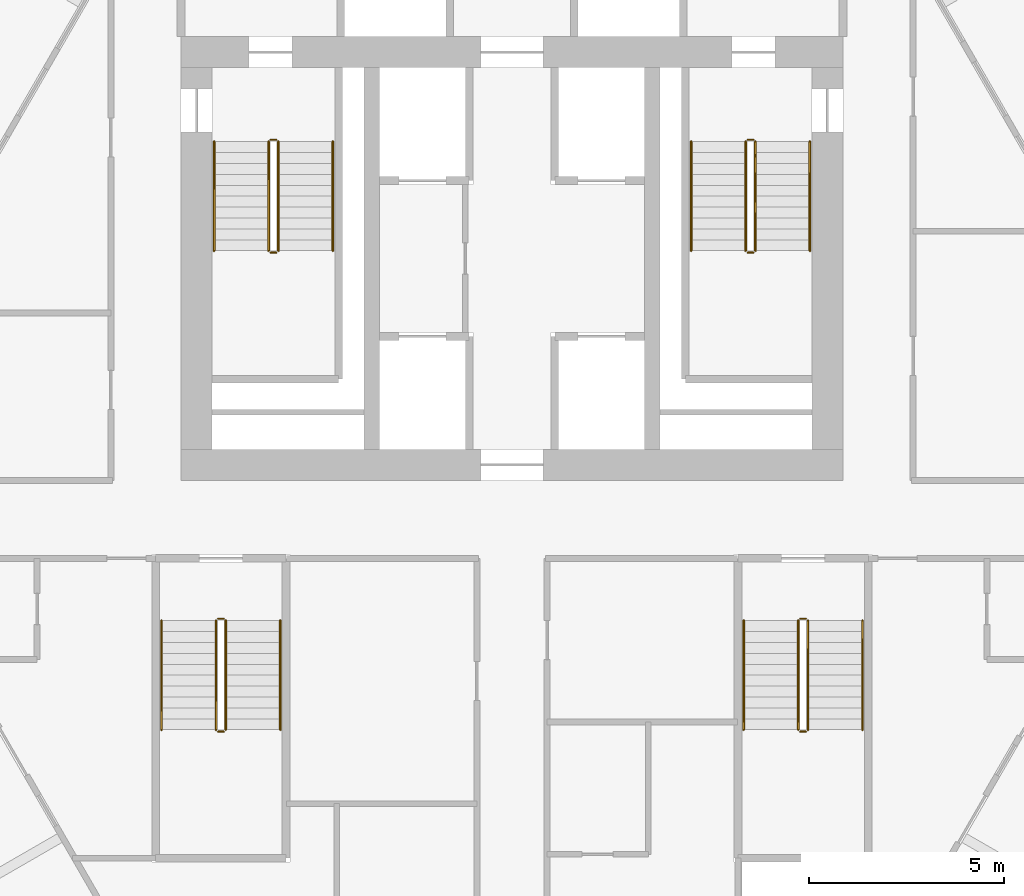
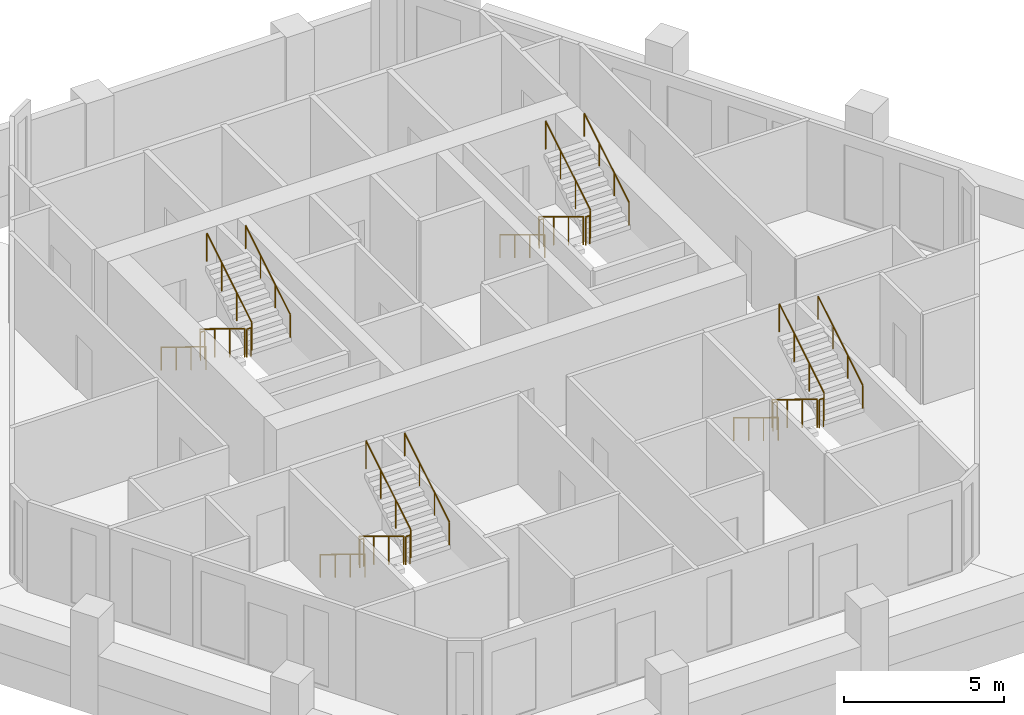
# One storey, part 7 of 7: 24 railings.
"""IFC4 building model written with IfcOpenShell, lengths in metres."""

import ifcopenshell
import ifcopenshell.guid

model = None  # the IFC model being written
_history = None  # IfcOwnerHistory: only IFC2X3 demands one
_inside = {}  # id of a spatial element -> (the spatial element, [elements in it])
_under = {}  # id of a project, library or spatial element -> (it, [spatial elements below it])
_declared = {}  # id of a project -> (the project, [libraries it declares])
_typed = {}  # id of a type object -> (the type object, [elements of that type])
_made_of = {}  # id of a material, layer set ... -> (it, [elements and type objects made of it])


def new_model(schema):
    """Start an empty IFC model of exactly this schema.

    Asked for "IFC4X3", IfcOpenShell would pick the latest addendum, in which some entities
    have other attributes; the version numbers below select the first issue.
    IFC2X3 requires an IfcOwnerHistory on every rooted entity: one is made here for all.
    """
    global model, _history
    if schema == "IFC4X3":
        model = ifcopenshell.file(schema_version=(4, 3, 0, 0))
    else:
        model = ifcopenshell.file(schema=schema)
    _inside.clear()
    _under.clear()
    _declared.clear()
    _typed.clear()
    _made_of.clear()
    _history = None
    if model.schema == "IFC2X3":
        org = make("IfcOrganization", Name="unknown")
        user = make(
            "IfcPersonAndOrganization",
            ThePerson=make("IfcPerson", FamilyName="unknown"),
            TheOrganization=org,
        )
        app = make(
            "IfcApplication",
            ApplicationDeveloper=org,
            Version="unknown",
            ApplicationFullName="unknown",
            ApplicationIdentifier="unknown",
        )
        _history = make(
            "IfcOwnerHistory",
            OwningUser=user,
            OwningApplication=app,
            ChangeAction="ADDED",
            CreationDate=0,
        )
    return model


def make(cls, **values):
    """One entity of the class cls with the attributes given. An attribute that is None is left unset."""
    return model.create_entity(
        cls, **{name: value for name, value in values.items() if value is not None}
    )


def rooted(cls, **values):
    """An entity with a GlobalId (a new one), such as an element, a storey or a relation."""
    return make(cls, GlobalId=ifcopenshell.guid.new(), OwnerHistory=_history, **values)


def si_unit(unit_type, name, prefix=None):
    """IfcSIUnit, for example si_unit("LENGTHUNIT", "METRE", prefix="MILLI")."""
    return make("IfcSIUnit", UnitType=unit_type, Prefix=prefix, Name=name)


def assignment(units):
    """IfcUnitAssignment: the units of a project."""
    return None if units is None else make("IfcUnitAssignment", Units=units)


def point(xyz):
    """IfcCartesianPoint."""
    return None if xyz is None else make("IfcCartesianPoint", Coordinates=xyz)


def direction(xyz):
    """IfcDirection."""
    return None if xyz is None else make("IfcDirection", DirectionRatios=xyz)


def frame(location, z_axis=None, x_axis=None):
    """IfcAxis2Placement3D, a coordinate frame: its origin and axes. An axis left out is left unset."""
    return make(
        "IfcAxis2Placement3D",
        Location=point(location),
        Axis=direction(z_axis),
        RefDirection=direction(x_axis),
    )


def frame_2d(location, x_axis=None):
    """IfcAxis2Placement2D, a coordinate frame in the plane: its origin and x axis."""
    return make(
        "IfcAxis2Placement2D", Location=point(location), RefDirection=direction(x_axis)
    )


def origin():
    """The frame at (0, 0, 0) with its axes left unset."""
    return frame((0.0, 0.0, 0.0))


def origin_2d():
    """The frame at (0, 0) in the plane with its x axis left unset."""
    return frame_2d((0.0, 0.0))


def place(relative_to, where):
    """IfcLocalPlacement: puts the frame where relative to a parent placement (None: the world)."""
    return make(
        "IfcLocalPlacement", PlacementRelTo=relative_to, RelativePlacement=where
    )


def context(
    kind, dimensions, precision=None, world=None, true_north=None, identifier=None
):
    """IfcGeometricRepresentationContext, for example the 3D "Model" context."""
    return make(
        "IfcGeometricRepresentationContext",
        ContextIdentifier=identifier,
        ContextType=kind,
        CoordinateSpaceDimension=dimensions,
        Precision=precision,
        WorldCoordinateSystem=world,
        TrueNorth=true_north,
    )


def subcontext(parent, identifier, kind, view, scale=None):
    """IfcGeometricRepresentationSubContext, for example "Body" below "Model"."""
    return make(
        "IfcGeometricRepresentationSubContext",
        ContextIdentifier=identifier,
        ContextType=kind,
        ParentContext=parent,
        TargetScale=scale,
        TargetView=view,
    )


def project(units=None, contexts=None):
    """IfcProject with its units and contexts."""
    return rooted(
        "IfcProject",
        Name="project",
        RepresentationContexts=contexts,
        UnitsInContext=assignment(units),
    )


def spatial(cls, under=None, at=None, **own):
    """A site, building, storey or space (cls), placed at a placement, below another one or the project."""
    s = rooted(cls, ObjectPlacement=at, **own)
    if under is not None:
        _under.setdefault(under.id(), (under, []))[1].append(s)
    return s


def profile(cls, at=None, kind="AREA", **sizes):
    """A parametric profile (cls). Its sizes go by their IFC names, for example OverallWidth=200.0."""
    return make(cls, ProfileType=kind, Position=at, **sizes)


def circle(**sizes):
    """IfcCircleProfileDef."""
    return profile("IfcCircleProfileDef", **sizes)


def extrude(swept, where, along, depth):
    """IfcExtrudedAreaSolid: the profile swept, set in the frame where, extruded along a direction by depth."""
    return make(
        "IfcExtrudedAreaSolid",
        SweptArea=swept,
        Position=where,
        ExtrudedDirection=direction(along),
        Depth=depth,
    )


def shape(context_of_items, identifier, shape_type, items):
    """IfcShapeRepresentation: the items that make up one representation, for example the "Body"."""
    return make(
        "IfcShapeRepresentation",
        ContextOfItems=context_of_items,
        RepresentationIdentifier=identifier,
        RepresentationType=shape_type,
        Items=items,
    )


def material(Name=None, Category=None):
    """IfcMaterial."""
    return make("IfcMaterial", Name=Name, Category=Category)


def made_of(thing, what):
    """Note that an element or type object is made of a material, layer set ...; save() writes the relation."""
    if what is not None:
        _made_of.setdefault(what.id(), (what, []))[1].append(thing)
    return thing


def type_object(cls, material=None, **own):
    """A type object (cls), such as IfcWallType, which elements share."""
    return made_of(rooted(cls, **own), material)


def element(
    cls,
    number,
    at=None,
    inside=None,
    cuts=None,
    type_object=None,
    material=None,
    context=None,
    identifier="Body",
    shape_type=None,
    held_by="IfcProductDefinitionShape",
    body=None,
    shapes=None,
    **own,
):
    """One element of the class cls, such as IfcWall. Its Tag is "e" and its number.

    at: its placement. inside: the storey or other place that contains it. cuts: it is an
    opening in that element (IfcRelVoidsElement). A single representation is given by context,
    identifier, shape_type and body (its items); several are given by shapes. held_by: the class
    of the entity that holds the representations. save() writes the other relations.
    """
    e = rooted(cls, Tag="e%d" % number, ObjectPlacement=at, **own)
    if body is not None:
        shapes = [shape(context, identifier, shape_type, body)]
    if shapes is not None:
        e.Representation = make(held_by, Representations=shapes)
    if inside is not None:
        _inside.setdefault(inside.id(), (inside, []))[1].append(e)
    if cuts is not None:
        rooted(
            "IfcRelVoidsElement", RelatingBuildingElement=cuts, RelatedOpeningElement=e
        )
    if type_object is not None:
        _typed.setdefault(type_object.id(), (type_object, []))[1].append(e)
    return made_of(e, material)


def aggregate(whole, parts):
    """IfcRelAggregates: a whole, such as a stair, and the parts it consists of."""
    return rooted("IfcRelAggregates", RelatingObject=whole, RelatedObjects=parts)


def save(model, path):
    """Write the relations noted so far, then the file.

    IfcRelAggregates (storeys below a building ...), IfcRelContainedInSpatialStructure (elements
    in a storey), IfcRelDefinesByType, IfcRelAssociatesMaterial and IfcRelDeclares: one each for
    every whole, place, type object, material and project.
    """
    for whole, parts in _under.values():
        aggregate(whole, parts)
    for where, things in _inside.values():
        rooted(
            "IfcRelContainedInSpatialStructure",
            RelatedElements=things,
            RelatingStructure=where,
        )
    for kind, things in _typed.values():
        rooted("IfcRelDefinesByType", RelatedObjects=things, RelatingType=kind)
    for what, things in _made_of.values():
        rooted("IfcRelAssociatesMaterial", RelatedObjects=things, RelatingMaterial=what)
    for by, libraries in _declared.values():
        rooted("IfcRelDeclares", RelatingContext=by, RelatedDefinitions=libraries)
    model.write(path)


model = new_model("IFC4")

# Units and contexts
model_context = context("Model", 3, precision=1e-05, world=origin(), true_north=direction((0.0, 1.0)))
body_context = subcontext(model_context, "Body", "Model", "MODEL_VIEW")
ifc_project = project(units=[si_unit("LENGTHUNIT", "METRE"), si_unit("AREAUNIT", "SQUARE_METRE"), si_unit("VOLUMEUNIT", "CUBIC_METRE"), si_unit("PLANEANGLEUNIT", "RADIAN"), si_unit("MASSUNIT", "GRAM", prefix="KILO")], contexts=[model_context])

# Site, building, storey
site_placement = place(None, origin())
site = spatial("IfcSite", under=ifc_project, at=site_placement, CompositionType="ELEMENT")
building_placement = place(site_placement, origin())
building = spatial("IfcBuilding", under=site, at=building_placement, Name="Ostrander Bayou Hotel Tower", CompositionType="ELEMENT")
storey_placement = place(building_placement, frame((0.0, 0.0, 183.25)))
storey = spatial("IfcBuildingStorey", under=building, at=storey_placement, Name="L45", CompositionType="ELEMENT", Elevation=183.25)

# Railings
ifc_material_1 = material(Name="Steel ASTM A500 Gr C", Category="steel")
railing_type_1 = type_object("IfcRailingType", Name="GR1 stair guard 1100 mm steel", PredefinedType="GUARDRAIL", material=ifc_material_1)
railing_1_placement = place(storey_placement, frame((-6.25, 7.0, 0.17041015625)))
element("IfcRailing", 1, at=railing_1_placement, inside=storey, type_object=railing_type_1, Name="L45 STA stair guard 1", PredefinedType="GUARDRAIL", context=body_context, shape_type="SweptSolid", body=[
    extrude(circle(Radius=0.02392578125, at=origin_2d()), frame((0.0, 0.0, 1.076171875), z_axis=(0.0, -0.854169791009, 0.51999420009), x_axis=(1.0, 0.0, 0.0)), (0.0, 0.0, 1.0), 3.278076171875),
    extrude(circle(Radius=0.02099609375, at=origin_2d()), origin(), (0.0, 0.0, 1.0), 1.052001953125),
    extrude(circle(Radius=0.02099609375, at=origin_2d()), frame((0.0, -0.933349609375, 0.568115234375)), (0.0, 0.0, 1.0), 1.052001953125),
    extrude(circle(Radius=0.02099609375, at=origin_2d()), frame((0.0, -1.86669921875, 1.136474609375)), (0.0, 0.0, 1.0), 1.052001953125),
    extrude(circle(Radius=0.02099609375, at=origin_2d()), frame((0.0, -2.800048828125, 1.70458984375)), (0.0, 0.0, 1.0), 1.052001953125),
])
railing_2_placement = place(storey_placement, frame((-6.199951171875, 4.14990234375, 1.875)))
element("IfcRailing", 2, at=railing_2_placement, inside=storey, type_object=railing_type_1, Name="L45 STA stair guard 2", PredefinedType="GUARDRAIL", context=body_context, shape_type="SweptSolid", body=[
    extrude(circle(Radius=0.02392578125, at=origin_2d()), frame((0.0, 0.0, 1.076171875), z_axis=(1.0, 0.0, 0.0), x_axis=(0.0, 1.0, 0.0)), (0.0, 0.0, 1.0), 0.14990234375),
    extrude(circle(Radius=0.02099609375, at=origin_2d()), origin(), (0.0, 0.0, 1.0), 1.052001953125),
    extrude(circle(Radius=0.02099609375, at=origin_2d()), frame((0.14990234375, 0.0, 0.0)), (0.0, 0.0, 1.0), 1.052001953125),
])
railing_3_placement = place(storey_placement, frame((-6.0, 4.199951171875, 2.04541015625)))
element("IfcRailing", 3, at=railing_3_placement, inside=storey, type_object=railing_type_1, Name="L45 STA stair guard 3", PredefinedType="GUARDRAIL", context=body_context, shape_type="SweptSolid", body=[
    extrude(circle(Radius=0.02392578125, at=origin_2d()), frame((0.0, 0.0, 1.076171875), z_axis=(0.0, 0.854169791009, 0.51999420009), x_axis=(-1.0, 0.0, 0.0)), (0.0, 0.0, 1.0), 3.278076171875),
    extrude(circle(Radius=0.02099609375, at=origin_2d()), origin(), (0.0, 0.0, 1.0), 1.052001953125),
    extrude(circle(Radius=0.02099609375, at=origin_2d()), frame((0.0, 0.933349609375, 0.568115234375)), (0.0, 0.0, 1.0), 1.052001953125),
    extrude(circle(Radius=0.02099609375, at=origin_2d()), frame((0.0, 1.86669921875, 1.136474609375)), (0.0, 0.0, 1.0), 1.052001953125),
    extrude(circle(Radius=0.02099609375, at=origin_2d()), frame((0.0, 2.800048828125, 1.70458984375)), (0.0, 0.0, 1.0), 1.052001953125),
])
railing_4_placement = place(storey_placement, frame((-6.199951171875, 7.050048828125, 0.0)))
element("IfcRailing", 4, at=railing_4_placement, inside=storey, type_object=railing_type_1, Name="L45 STA stair guard 4", PredefinedType="GUARDRAIL", context=body_context, shape_type="SweptSolid", body=[
    extrude(circle(Radius=0.02392578125, at=origin_2d()), frame((0.0, 0.0, 1.076171875), z_axis=(1.0, 0.0, 0.0), x_axis=(0.0, 1.0, 0.0)), (0.0, 0.0, 1.0), 0.14990234375),
    extrude(circle(Radius=0.02099609375, at=origin_2d()), origin(), (0.0, 0.0, 1.0), 1.052001953125),
    extrude(circle(Radius=0.02099609375, at=origin_2d()), frame((0.14990234375, 0.0, 0.0)), (0.0, 0.0, 1.0), 1.052001953125),
])
railing_5_placement = place(storey_placement, frame((6.0, 7.0, 0.17041015625)))
element("IfcRailing", 5, at=railing_5_placement, inside=storey, type_object=railing_type_1, Name="L45 STB stair guard 1", PredefinedType="GUARDRAIL", context=body_context, shape_type="SweptSolid", body=[
    extrude(circle(Radius=0.02392578125, at=origin_2d()), frame((0.0, 0.0, 1.076171875), z_axis=(0.0, -0.854169791009, 0.51999420009), x_axis=(1.0, 0.0, 0.0)), (0.0, 0.0, 1.0), 3.278076171875),
    extrude(circle(Radius=0.02099609375, at=origin_2d()), origin(), (0.0, 0.0, 1.0), 1.052001953125),
    extrude(circle(Radius=0.02099609375, at=origin_2d()), frame((0.0, -0.933349609375, 0.568115234375)), (0.0, 0.0, 1.0), 1.052001953125),
    extrude(circle(Radius=0.02099609375, at=origin_2d()), frame((0.0, -1.86669921875, 1.136474609375)), (0.0, 0.0, 1.0), 1.052001953125),
    extrude(circle(Radius=0.02099609375, at=origin_2d()), frame((0.0, -2.800048828125, 1.70458984375)), (0.0, 0.0, 1.0), 1.052001953125),
])
railing_6_placement = place(storey_placement, frame((6.050048828125, 4.14990234375, 1.875)))
element("IfcRailing", 6, at=railing_6_placement, inside=storey, type_object=railing_type_1, Name="L45 STB stair guard 2", PredefinedType="GUARDRAIL", context=body_context, shape_type="SweptSolid", body=[
    extrude(circle(Radius=0.02392578125, at=origin_2d()), frame((0.0, 0.0, 1.076171875), z_axis=(1.0, 0.0, 0.0), x_axis=(0.0, 1.0, 0.0)), (0.0, 0.0, 1.0), 0.14990234375),
    extrude(circle(Radius=0.02099609375, at=origin_2d()), origin(), (0.0, 0.0, 1.0), 1.052001953125),
    extrude(circle(Radius=0.02099609375, at=origin_2d()), frame((0.14990234375, 0.0, 0.0)), (0.0, 0.0, 1.0), 1.052001953125),
])
railing_7_placement = place(storey_placement, frame((6.25, 4.199951171875, 2.04541015625)))
element("IfcRailing", 7, at=railing_7_placement, inside=storey, type_object=railing_type_1, Name="L45 STB stair guard 3", PredefinedType="GUARDRAIL", context=body_context, shape_type="SweptSolid", body=[
    extrude(circle(Radius=0.02392578125, at=origin_2d()), frame((0.0, 0.0, 1.076171875), z_axis=(0.0, 0.854169791009, 0.51999420009), x_axis=(-1.0, 0.0, 0.0)), (0.0, 0.0, 1.0), 3.278076171875),
    extrude(circle(Radius=0.02099609375, at=origin_2d()), origin(), (0.0, 0.0, 1.0), 1.052001953125),
    extrude(circle(Radius=0.02099609375, at=origin_2d()), frame((0.0, 0.933349609375, 0.568115234375)), (0.0, 0.0, 1.0), 1.052001953125),
    extrude(circle(Radius=0.02099609375, at=origin_2d()), frame((0.0, 1.86669921875, 1.136474609375)), (0.0, 0.0, 1.0), 1.052001953125),
    extrude(circle(Radius=0.02099609375, at=origin_2d()), frame((0.0, 2.800048828125, 1.70458984375)), (0.0, 0.0, 1.0), 1.052001953125),
])
railing_8_placement = place(storey_placement, frame((6.050048828125, 7.050048828125, 0.0)))
element("IfcRailing", 8, at=railing_8_placement, inside=storey, type_object=railing_type_1, Name="L45 STB stair guard 4", PredefinedType="GUARDRAIL", context=body_context, shape_type="SweptSolid", body=[
    extrude(circle(Radius=0.02392578125, at=origin_2d()), frame((0.0, 0.0, 1.076171875), z_axis=(1.0, 0.0, 0.0), x_axis=(0.0, 1.0, 0.0)), (0.0, 0.0, 1.0), 0.14990234375),
    extrude(circle(Radius=0.02099609375, at=origin_2d()), origin(), (0.0, 0.0, 1.0), 1.052001953125),
    extrude(circle(Radius=0.02099609375, at=origin_2d()), frame((0.14990234375, 0.0, 0.0)), (0.0, 0.0, 1.0), 1.052001953125),
])
railing_9_placement = place(storey_placement, frame((7.35009765625, -5.300048828125, 0.17041015625)))
element("IfcRailing", 9, at=railing_9_placement, inside=storey, type_object=railing_type_1, Name="L45 STC stair guard 1", PredefinedType="GUARDRAIL", context=body_context, shape_type="SweptSolid", body=[
    extrude(circle(Radius=0.02392578125, at=origin_2d()), frame((0.0, 0.0, 1.076171875), z_axis=(0.0, -0.854169791009, 0.51999420009), x_axis=(1.0, 0.0, 0.0)), (0.0, 0.0, 1.0), 3.278076171875),
    extrude(circle(Radius=0.02099609375, at=origin_2d()), origin(), (0.0, 0.0, 1.0), 1.052001953125),
    extrude(circle(Radius=0.02099609375, at=origin_2d()), frame((0.0, -0.933349609375, 0.568115234375)), (0.0, 0.0, 1.0), 1.052001953125),
    extrude(circle(Radius=0.02099609375, at=origin_2d()), frame((0.0, -1.86669921875, 1.136474609375)), (0.0, 0.0, 1.0), 1.052001953125),
    extrude(circle(Radius=0.02099609375, at=origin_2d()), frame((0.0, -2.800048828125, 1.70458984375)), (0.0, 0.0, 1.0), 1.052001953125),
])
railing_10_placement = place(storey_placement, frame((7.39990234375, -8.14990234375, 1.875)))
element("IfcRailing", 10, at=railing_10_placement, inside=storey, type_object=railing_type_1, Name="L45 STC stair guard 2", PredefinedType="GUARDRAIL", context=body_context, shape_type="SweptSolid", body=[
    extrude(circle(Radius=0.02392578125, at=origin_2d()), frame((0.0, 0.0, 1.076171875), z_axis=(1.0, 0.0, 0.0), x_axis=(0.0, 1.0, 0.0)), (0.0, 0.0, 1.0), 0.150146484375),
    extrude(circle(Radius=0.02099609375, at=origin_2d()), origin(), (0.0, 0.0, 1.0), 1.052001953125),
    extrude(circle(Radius=0.02099609375, at=origin_2d()), frame((0.150146484375, 0.0, 0.0)), (0.0, 0.0, 1.0), 1.052001953125),
])
railing_11_placement = place(storey_placement, frame((7.60009765625, -8.10009765625, 2.04541015625)))
element("IfcRailing", 11, at=railing_11_placement, inside=storey, type_object=railing_type_1, Name="L45 STC stair guard 3", PredefinedType="GUARDRAIL", context=body_context, shape_type="SweptSolid", body=[
    extrude(circle(Radius=0.02392578125, at=origin_2d()), frame((0.0, 0.0, 1.076171875), z_axis=(0.0, 0.854169791009, 0.51999420009), x_axis=(-1.0, 0.0, 0.0)), (0.0, 0.0, 1.0), 3.278076171875),
    extrude(circle(Radius=0.02099609375, at=origin_2d()), origin(), (0.0, 0.0, 1.0), 1.052001953125),
    extrude(circle(Radius=0.02099609375, at=origin_2d()), frame((0.0, 0.933349609375, 0.568115234375)), (0.0, 0.0, 1.0), 1.052001953125),
    extrude(circle(Radius=0.02099609375, at=origin_2d()), frame((0.0, 1.86669921875, 1.136474609375)), (0.0, 0.0, 1.0), 1.052001953125),
    extrude(circle(Radius=0.02099609375, at=origin_2d()), frame((0.0, 2.800048828125, 1.70458984375)), (0.0, 0.0, 1.0), 1.052001953125),
])
railing_12_placement = place(storey_placement, frame((7.39990234375, -5.25, 0.0)))
element("IfcRailing", 12, at=railing_12_placement, inside=storey, type_object=railing_type_1, Name="L45 STC stair guard 4", PredefinedType="GUARDRAIL", context=body_context, shape_type="SweptSolid", body=[
    extrude(circle(Radius=0.02392578125, at=origin_2d()), frame((0.0, 0.0, 1.076171875), z_axis=(1.0, 0.0, 0.0), x_axis=(0.0, 1.0, 0.0)), (0.0, 0.0, 1.0), 0.150146484375),
    extrude(circle(Radius=0.02099609375, at=origin_2d()), origin(), (0.0, 0.0, 1.0), 1.052001953125),
    extrude(circle(Radius=0.02099609375, at=origin_2d()), frame((0.150146484375, 0.0, 0.0)), (0.0, 0.0, 1.0), 1.052001953125),
])
railing_13_placement = place(storey_placement, frame((-7.60009765625, -5.300048828125, 0.17041015625)))
element("IfcRailing", 13, at=railing_13_placement, inside=storey, type_object=railing_type_1, Name="L45 STD stair guard 1", PredefinedType="GUARDRAIL", context=body_context, shape_type="SweptSolid", body=[
    extrude(circle(Radius=0.02392578125, at=origin_2d()), frame((0.0, 0.0, 1.076171875), z_axis=(0.0, -0.854169791009, 0.51999420009), x_axis=(1.0, 0.0, 0.0)), (0.0, 0.0, 1.0), 3.278076171875),
    extrude(circle(Radius=0.02099609375, at=origin_2d()), origin(), (0.0, 0.0, 1.0), 1.052001953125),
    extrude(circle(Radius=0.02099609375, at=origin_2d()), frame((0.0, -0.933349609375, 0.568115234375)), (0.0, 0.0, 1.0), 1.052001953125),
    extrude(circle(Radius=0.02099609375, at=origin_2d()), frame((0.0, -1.86669921875, 1.136474609375)), (0.0, 0.0, 1.0), 1.052001953125),
    extrude(circle(Radius=0.02099609375, at=origin_2d()), frame((0.0, -2.800048828125, 1.70458984375)), (0.0, 0.0, 1.0), 1.052001953125),
])
railing_14_placement = place(storey_placement, frame((-7.550048828125, -8.14990234375, 1.875)))
element("IfcRailing", 14, at=railing_14_placement, inside=storey, type_object=railing_type_1, Name="L45 STD stair guard 2", PredefinedType="GUARDRAIL", context=body_context, shape_type="SweptSolid", body=[
    extrude(circle(Radius=0.02392578125, at=origin_2d()), frame((0.0, 0.0, 1.076171875), z_axis=(1.0, 0.0, 0.0), x_axis=(0.0, 1.0, 0.0)), (0.0, 0.0, 1.0), 0.150146484375),
    extrude(circle(Radius=0.02099609375, at=origin_2d()), origin(), (0.0, 0.0, 1.0), 1.052001953125),
    extrude(circle(Radius=0.02099609375, at=origin_2d()), frame((0.150146484375, 0.0, 0.0)), (0.0, 0.0, 1.0), 1.052001953125),
])
railing_15_placement = place(storey_placement, frame((-7.35009765625, -8.10009765625, 2.04541015625)))
element("IfcRailing", 15, at=railing_15_placement, inside=storey, type_object=railing_type_1, Name="L45 STD stair guard 3", PredefinedType="GUARDRAIL", context=body_context, shape_type="SweptSolid", body=[
    extrude(circle(Radius=0.02392578125, at=origin_2d()), frame((0.0, 0.0, 1.076171875), z_axis=(0.0, 0.854169791009, 0.51999420009), x_axis=(-1.0, 0.0, 0.0)), (0.0, 0.0, 1.0), 3.278076171875),
    extrude(circle(Radius=0.02099609375, at=origin_2d()), origin(), (0.0, 0.0, 1.0), 1.052001953125),
    extrude(circle(Radius=0.02099609375, at=origin_2d()), frame((0.0, 0.933349609375, 0.568115234375)), (0.0, 0.0, 1.0), 1.052001953125),
    extrude(circle(Radius=0.02099609375, at=origin_2d()), frame((0.0, 1.86669921875, 1.136474609375)), (0.0, 0.0, 1.0), 1.052001953125),
    extrude(circle(Radius=0.02099609375, at=origin_2d()), frame((0.0, 2.800048828125, 1.70458984375)), (0.0, 0.0, 1.0), 1.052001953125),
])
railing_16_placement = place(storey_placement, frame((-7.550048828125, -5.25, 0.0)))
element("IfcRailing", 16, at=railing_16_placement, inside=storey, type_object=railing_type_1, Name="L45 STD stair guard 4", PredefinedType="GUARDRAIL", context=body_context, shape_type="SweptSolid", body=[
    extrude(circle(Radius=0.02392578125, at=origin_2d()), frame((0.0, 0.0, 1.076171875), z_axis=(1.0, 0.0, 0.0), x_axis=(0.0, 1.0, 0.0)), (0.0, 0.0, 1.0), 0.150146484375),
    extrude(circle(Radius=0.02099609375, at=origin_2d()), origin(), (0.0, 0.0, 1.0), 1.052001953125),
    extrude(circle(Radius=0.02099609375, at=origin_2d()), frame((0.150146484375, 0.0, 0.0)), (0.0, 0.0, 1.0), 1.052001953125),
])
ifc_material_2 = material(Name="Steel ASTM A500 Gr C", Category="steel")
railing_type_2 = type_object("IfcRailingType", Name="HR1 stair handrail 900 mm steel", PredefinedType="HANDRAIL", material=ifc_material_2)
railing_17_placement = place(storey_placement, frame((-7.64990234375, 7.0, 0.17041015625)))
element("IfcRailing", 17, at=railing_17_placement, inside=storey, type_object=railing_type_2, Name="L45 STA stair handrail 1", PredefinedType="HANDRAIL", context=body_context, shape_type="SweptSolid", body=[
    extrude(circle(Radius=0.02392578125, at=origin_2d()), frame((0.0, 0.0, 0.8759765625), z_axis=(0.0, -0.854169791009, 0.51999420009), x_axis=(1.0, 0.0, 0.0)), (0.0, 0.0, 1.0), 3.278076171875),
    extrude(circle(Radius=0.02099609375, at=origin_2d()), origin(), (0.0, 0.0, 1.0), 0.851806640625),
    extrude(circle(Radius=0.02099609375, at=origin_2d()), frame((0.0, -0.933349609375, 0.568115234375)), (0.0, 0.0, 1.0), 0.851806640625),
    extrude(circle(Radius=0.02099609375, at=origin_2d()), frame((0.0, -1.86669921875, 1.136474609375)), (0.0, 0.0, 1.0), 0.851806640625),
    extrude(circle(Radius=0.02099609375, at=origin_2d()), frame((0.0, -2.800048828125, 1.70458984375)), (0.0, 0.0, 1.0), 0.851806640625),
])
railing_18_placement = place(storey_placement, frame((-4.60009765625, 4.199951171875, 2.04541015625)))
element("IfcRailing", 18, at=railing_18_placement, inside=storey, type_object=railing_type_2, Name="L45 STA stair handrail 2", PredefinedType="HANDRAIL", context=body_context, shape_type="SweptSolid", body=[
    extrude(circle(Radius=0.02392578125, at=origin_2d()), frame((0.0, 0.0, 0.8759765625), z_axis=(0.0, 0.854169791009, 0.51999420009), x_axis=(-1.0, 0.0, 0.0)), (0.0, 0.0, 1.0), 3.278076171875),
    extrude(circle(Radius=0.02099609375, at=origin_2d()), origin(), (0.0, 0.0, 1.0), 0.851806640625),
    extrude(circle(Radius=0.02099609375, at=origin_2d()), frame((0.0, 0.933349609375, 0.568115234375)), (0.0, 0.0, 1.0), 0.851806640625),
    extrude(circle(Radius=0.02099609375, at=origin_2d()), frame((0.0, 1.86669921875, 1.136474609375)), (0.0, 0.0, 1.0), 0.851806640625),
    extrude(circle(Radius=0.02099609375, at=origin_2d()), frame((0.0, 2.800048828125, 1.70458984375)), (0.0, 0.0, 1.0), 0.851806640625),
])
railing_19_placement = place(storey_placement, frame((4.60009765625, 7.0, 0.17041015625)))
element("IfcRailing", 19, at=railing_19_placement, inside=storey, type_object=railing_type_2, Name="L45 STB stair handrail 1", PredefinedType="HANDRAIL", context=body_context, shape_type="SweptSolid", body=[
    extrude(circle(Radius=0.02392578125, at=origin_2d()), frame((0.0, 0.0, 0.8759765625), z_axis=(0.0, -0.854169791009, 0.51999420009), x_axis=(1.0, 0.0, 0.0)), (0.0, 0.0, 1.0), 3.278076171875),
    extrude(circle(Radius=0.02099609375, at=origin_2d()), origin(), (0.0, 0.0, 1.0), 0.851806640625),
    extrude(circle(Radius=0.02099609375, at=origin_2d()), frame((0.0, -0.933349609375, 0.568115234375)), (0.0, 0.0, 1.0), 0.851806640625),
    extrude(circle(Radius=0.02099609375, at=origin_2d()), frame((0.0, -1.86669921875, 1.136474609375)), (0.0, 0.0, 1.0), 0.851806640625),
    extrude(circle(Radius=0.02099609375, at=origin_2d()), frame((0.0, -2.800048828125, 1.70458984375)), (0.0, 0.0, 1.0), 0.851806640625),
])
railing_20_placement = place(storey_placement, frame((7.64990234375, 4.199951171875, 2.04541015625)))
element("IfcRailing", 20, at=railing_20_placement, inside=storey, type_object=railing_type_2, Name="L45 STB stair handrail 2", PredefinedType="HANDRAIL", context=body_context, shape_type="SweptSolid", body=[
    extrude(circle(Radius=0.02392578125, at=origin_2d()), frame((0.0, 0.0, 0.8759765625), z_axis=(0.0, 0.854169791009, 0.51999420009), x_axis=(-1.0, 0.0, 0.0)), (0.0, 0.0, 1.0), 3.278076171875),
    extrude(circle(Radius=0.02099609375, at=origin_2d()), origin(), (0.0, 0.0, 1.0), 0.851806640625),
    extrude(circle(Radius=0.02099609375, at=origin_2d()), frame((0.0, 0.933349609375, 0.568115234375)), (0.0, 0.0, 1.0), 0.851806640625),
    extrude(circle(Radius=0.02099609375, at=origin_2d()), frame((0.0, 1.86669921875, 1.136474609375)), (0.0, 0.0, 1.0), 0.851806640625),
    extrude(circle(Radius=0.02099609375, at=origin_2d()), frame((0.0, 2.800048828125, 1.70458984375)), (0.0, 0.0, 1.0), 0.851806640625),
])
railing_21_placement = place(storey_placement, frame((5.949951171875, -5.300048828125, 0.17041015625)))
element("IfcRailing", 21, at=railing_21_placement, inside=storey, type_object=railing_type_2, Name="L45 STC stair handrail 1", PredefinedType="HANDRAIL", context=body_context, shape_type="SweptSolid", body=[
    extrude(circle(Radius=0.02392578125, at=origin_2d()), frame((0.0, 0.0, 0.8759765625), z_axis=(0.0, -0.854169791009, 0.51999420009), x_axis=(1.0, 0.0, 0.0)), (0.0, 0.0, 1.0), 3.278076171875),
    extrude(circle(Radius=0.02099609375, at=origin_2d()), origin(), (0.0, 0.0, 1.0), 0.851806640625),
    extrude(circle(Radius=0.02099609375, at=origin_2d()), frame((0.0, -0.933349609375, 0.568115234375)), (0.0, 0.0, 1.0), 0.851806640625),
    extrude(circle(Radius=0.02099609375, at=origin_2d()), frame((0.0, -1.86669921875, 1.136474609375)), (0.0, 0.0, 1.0), 0.851806640625),
    extrude(circle(Radius=0.02099609375, at=origin_2d()), frame((0.0, -2.800048828125, 1.70458984375)), (0.0, 0.0, 1.0), 0.851806640625),
])
railing_22_placement = place(storey_placement, frame((9.0, -8.10009765625, 2.04541015625)))
element("IfcRailing", 22, at=railing_22_placement, inside=storey, type_object=railing_type_2, Name="L45 STC stair handrail 2", PredefinedType="HANDRAIL", context=body_context, shape_type="SweptSolid", body=[
    extrude(circle(Radius=0.02392578125, at=origin_2d()), frame((0.0, 0.0, 0.8759765625), z_axis=(0.0, 0.854169791009, 0.51999420009), x_axis=(-1.0, 0.0, 0.0)), (0.0, 0.0, 1.0), 3.278076171875),
    extrude(circle(Radius=0.02099609375, at=origin_2d()), origin(), (0.0, 0.0, 1.0), 0.851806640625),
    extrude(circle(Radius=0.02099609375, at=origin_2d()), frame((0.0, 0.933349609375, 0.568115234375)), (0.0, 0.0, 1.0), 0.851806640625),
    extrude(circle(Radius=0.02099609375, at=origin_2d()), frame((0.0, 1.86669921875, 1.136474609375)), (0.0, 0.0, 1.0), 0.851806640625),
    extrude(circle(Radius=0.02099609375, at=origin_2d()), frame((0.0, 2.800048828125, 1.70458984375)), (0.0, 0.0, 1.0), 0.851806640625),
])
railing_23_placement = place(storey_placement, frame((-9.0, -5.300048828125, 0.17041015625)))
element("IfcRailing", 23, at=railing_23_placement, inside=storey, type_object=railing_type_2, Name="L45 STD stair handrail 1", PredefinedType="HANDRAIL", context=body_context, shape_type="SweptSolid", body=[
    extrude(circle(Radius=0.02392578125, at=origin_2d()), frame((0.0, 0.0, 0.8759765625), z_axis=(0.0, -0.854169791009, 0.51999420009), x_axis=(1.0, 0.0, 0.0)), (0.0, 0.0, 1.0), 3.278076171875),
    extrude(circle(Radius=0.02099609375, at=origin_2d()), origin(), (0.0, 0.0, 1.0), 0.851806640625),
    extrude(circle(Radius=0.02099609375, at=origin_2d()), frame((0.0, -0.933349609375, 0.568115234375)), (0.0, 0.0, 1.0), 0.851806640625),
    extrude(circle(Radius=0.02099609375, at=origin_2d()), frame((0.0, -1.86669921875, 1.136474609375)), (0.0, 0.0, 1.0), 0.851806640625),
    extrude(circle(Radius=0.02099609375, at=origin_2d()), frame((0.0, -2.800048828125, 1.70458984375)), (0.0, 0.0, 1.0), 0.851806640625),
])
railing_24_placement = place(storey_placement, frame((-5.949951171875, -8.10009765625, 2.04541015625)))
element("IfcRailing", 24, at=railing_24_placement, inside=storey, type_object=railing_type_2, Name="L45 STD stair handrail 2", PredefinedType="HANDRAIL", context=body_context, shape_type="SweptSolid", body=[
    extrude(circle(Radius=0.02392578125, at=origin_2d()), frame((0.0, 0.0, 0.8759765625), z_axis=(0.0, 0.854169791009, 0.51999420009), x_axis=(-1.0, 0.0, 0.0)), (0.0, 0.0, 1.0), 3.278076171875),
    extrude(circle(Radius=0.02099609375, at=origin_2d()), origin(), (0.0, 0.0, 1.0), 0.851806640625),
    extrude(circle(Radius=0.02099609375, at=origin_2d()), frame((0.0, 0.933349609375, 0.568115234375)), (0.0, 0.0, 1.0), 0.851806640625),
    extrude(circle(Radius=0.02099609375, at=origin_2d()), frame((0.0, 1.86669921875, 1.136474609375)), (0.0, 0.0, 1.0), 0.851806640625),
    extrude(circle(Radius=0.02099609375, at=origin_2d()), frame((0.0, 2.800048828125, 1.70458984375)), (0.0, 0.0, 1.0), 0.851806640625),
])

save(model, "model.ifc")
